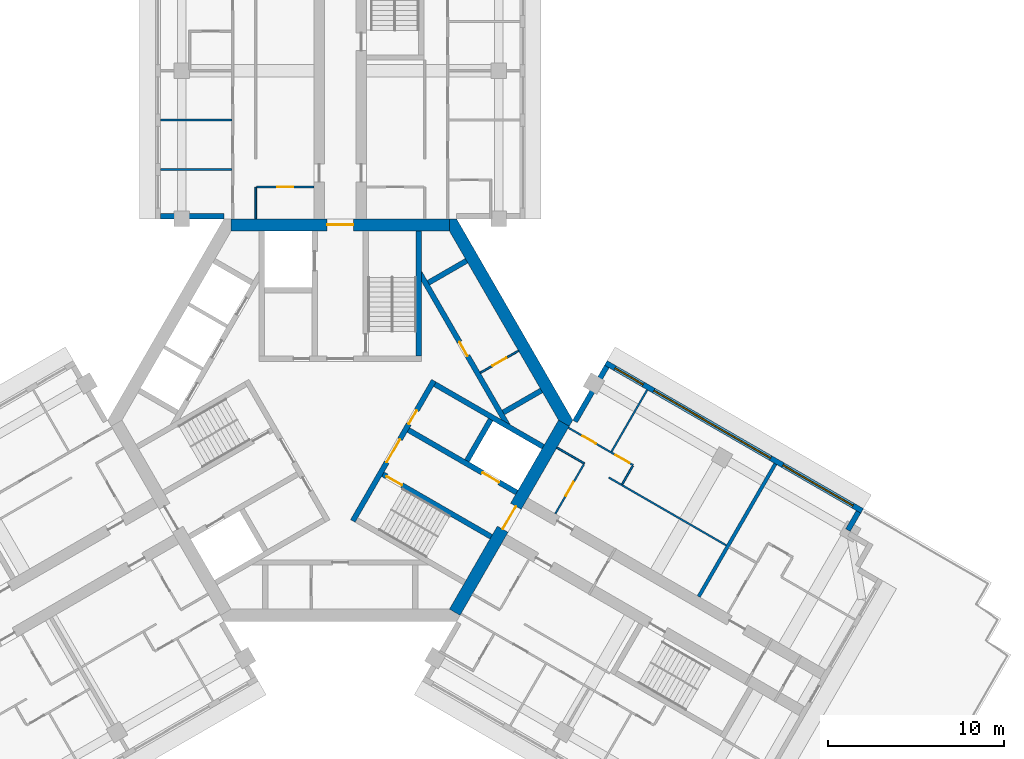
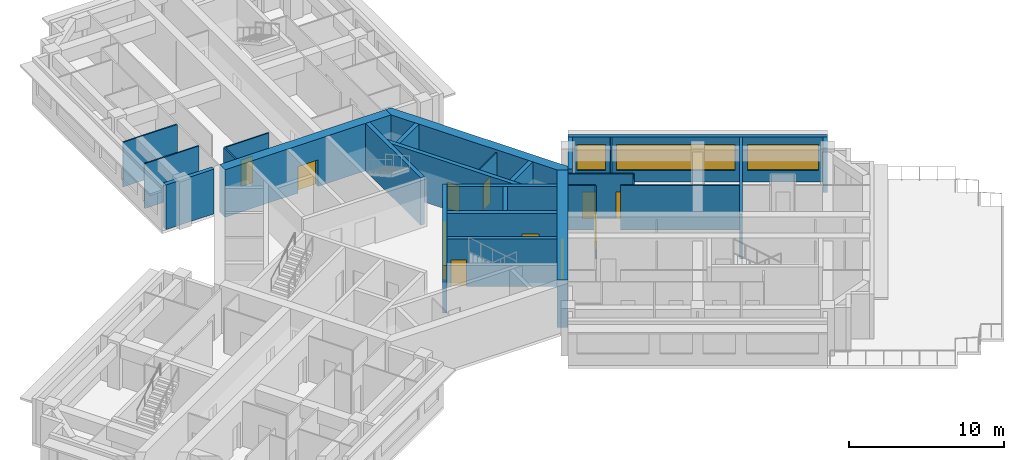
# One storey, part 6 of 11: 28 walls, 12 doors, 3 windows, 15 openings.
"""IFC4 building model written with IfcOpenShell, lengths in metres."""

from ifc_helpers import new_model, si_unit, direction, frame, frame_2d, origin, place, context, subcontext, project, spatial, polyline, rectangle, outline, extrude, material, layer, layer_set, type_object, element, fill, save


model = new_model("IFC4")

# Units and contexts
model_context = context("Model", 3, precision=1e-05, world=origin(), true_north=direction((0.0, 1.0)))
body_context = subcontext(model_context, "Body", "Model", "MODEL_VIEW")
ifc_project = project(units=[si_unit("LENGTHUNIT", "METRE"), si_unit("AREAUNIT", "SQUARE_METRE"), si_unit("VOLUMEUNIT", "CUBIC_METRE"), si_unit("PLANEANGLEUNIT", "RADIAN"), si_unit("MASSUNIT", "GRAM", prefix="KILO")], contexts=[model_context])

# Site, building, storey
site_placement = place(None, origin())
site = spatial("IfcSite", under=ifc_project, at=site_placement, CompositionType="ELEMENT")
building_placement = place(site_placement, origin())
building = spatial("IfcBuilding", under=site, at=building_placement, Name="Impinga Residences", CompositionType="ELEMENT")
storey_placement = place(building_placement, frame((0.0, 0.0, 248.5)))
storey = spatial("IfcBuildingStorey", under=building, at=storey_placement, Name="L62", CompositionType="ELEMENT", Elevation=248.5)

# Wall, opening, door
ifc_material_1 = material(Name="Concrete blockwork", Category="masonry")
ifc_layer_1 = layer(ifc_material_1, 0.10009765625)
ifc_layer_set_1 = layer_set([ifc_layer_1], Name="CP1 core room partition, blockwork 100")
wall_type_1 = type_object("IfcWallType", Name="CP1 core room partition, blockwork 100", PredefinedType="PARTITIONING", material=ifc_layer_set_1)
wall_1_placement = place(storey_placement, frame((7.95361328125, 2.686767578125, 0.0), z_axis=(0.0, 0.0, 1.0), x_axis=(0.866047370643, 0.499961950354, 0.0)))
wall_1 = element("IfcWall", 1, at=wall_1_placement, inside=storey, type_object=wall_type_1, Name="Core room partition, blockwork L62:CORE:mid:ZP1", PredefinedType="PARTITIONING", context=body_context, shape_type="SweptSolid", body=[
    extrude(rectangle(XDim=2.500244140625, YDim=0.10009765625, at=frame_2d((1.25, 0.0))), origin(), (0.0, 0.0, 1.0), 3.530029296875),
])
opening_1_placement = place(wall_1_placement, frame((0.800048828125, 0.0, 0.0)))
opening_1 = element("IfcOpeningElement", 2, at=opening_1_placement, cuts=wall_1, Name="Opening D6", PredefinedType="OPENING", context=body_context, shape_type="SweptSolid", body=[
    extrude(rectangle(XDim=0.89990234375, YDim=2.10009765625, at=frame_2d((0.449951171875, 1.050048828125))), frame((0.0, 0.06005859375, 0.0), z_axis=(0.0, -1.0, 0.0), x_axis=(1.0, 0.0, 0.0)), (0.0, 0.0, 1.0), 0.1201171875),
])
ifc_material_2 = material(Name="Timber door set", Category="wood")
door_type_1 = type_object("IfcDoorType", Name="D6 riser and store door 900x2100", OperationType="SINGLE_SWING_LEFT", PredefinedType="DOOR", material=ifc_material_2)
door_1_placement = place(opening_1_placement, origin())
door_1 = element("IfcDoor", 3, at=door_1_placement, inside=storey, type_object=door_type_1, Name="Residents' storage lockers door", OperationType="SINGLE_SWING_LEFT", OverallHeight=2.10009765625, OverallWidth=0.89990234375, PredefinedType="DOOR", context=body_context, shape_type="SweptSolid", body=[
    extrude(rectangle(XDim=0.89990234375, YDim=2.10009765625, at=frame_2d((0.449951171875, 1.050048828125))), frame((0.0, 0.02490234375, 0.0), z_axis=(0.0, -1.0, 0.0), x_axis=(1.0, 0.0, 0.0)), (0.0, 0.0, 1.0), 0.050048828125),
])
fill(opening_1, door_1)

# Walls
ifc_material_3 = material(Name="Terracotta rainscreen on blockwork", Category="masonry")
ifc_layer_2 = layer(ifc_material_3, 0.300048828125)
ifc_layer_set_2 = layer_set([ifc_layer_2], Name="EW1 external wall, terracotta rainscreen on blockwork 300")
wall_type_2 = type_object("IfcWallType", Name="EW1 external wall, terracotta rainscreen on blockwork 300", PredefinedType="SOLIDWALL", material=ifc_layer_set_2)
wall_2_placement = place(storey_placement, frame((-6.60009765625, 11.58154296875, 0.0), z_axis=(0.0, 0.0, 1.0), x_axis=(-1.0, 0.0, 0.0)))
element("IfcWall", 4, at=wall_2_placement, inside=storey, type_object=wall_type_2, Name="External wall EW1 L62", PredefinedType="SOLIDWALL", context=body_context, shape_type="SweptSolid", body=[
    extrude(rectangle(XDim=3.599853515625, YDim=0.300048828125, at=frame_2d((1.7998046875, 0.0))), origin(), (0.0, 0.0, 1.0), 3.530029296875),
])
wall_3_placement = place(storey_placement, frame((13.329833984375, -0.074951171875, 0.0), z_axis=(0.0, 0.0, 1.0), x_axis=(0.500012057535, 0.866018442252, 0.0)))
element("IfcWall", 5, at=wall_3_placement, inside=storey, type_object=wall_type_2, Name="External wall EW1 L62", PredefinedType="SOLIDWALL", context=body_context, shape_type="SweptSolid", body=[
    extrude(rectangle(XDim=3.60009765625, YDim=0.300048828125, at=frame_2d((1.800048828125, 0.0))), origin(), (0.0, 0.0, 1.0), 3.530029296875),
])

# Wall, openings, windows
wall_4_placement = place(storey_placement, frame((15.074951171875, 3.24755859375, 0.0), z_axis=(0.0, 0.0, 1.0), x_axis=(0.86602925447, -0.499993330357, 0.0)))
wall_4 = element("IfcWall", 6, at=wall_4_placement, inside=storey, type_object=wall_type_2, Name="External wall EW1 L62", PredefinedType="SOLIDWALL", context=body_context, shape_type="SweptSolid", body=[
    extrude(rectangle(XDim=16.800048828125, YDim=0.300048828125, at=frame_2d((8.39990234375, 0.0))), origin(), (0.0, 0.0, 1.0), 3.530029296875),
])
opening_2_placement = place(wall_4_placement, frame((0.60009765625, 0.0, 0.89990234375)))
opening_2 = element("IfcOpeningElement", 7, at=opening_2_placement, cuts=wall_4, Name="Opening W15", PredefinedType="OPENING", context=body_context, shape_type="SweptSolid", body=[
    extrude(rectangle(XDim=1.85009765625, YDim=2.050048828125, at=frame_2d((0.925048828125, 1.02490234375))), frame((0.0, 0.159912109375, 0.0), z_axis=(0.0, -1.0, 0.0), x_axis=(1.0, 0.0, 0.0)), (0.0, 0.0, 1.0), 0.320068359375),
])
opening_3_placement = place(wall_4_placement, frame((3.14990234375, 0.0, 0.89990234375)))
opening_3 = element("IfcOpeningElement", 8, at=opening_3_placement, cuts=wall_4, Name="Opening W13", PredefinedType="OPENING", context=body_context, shape_type="SweptSolid", body=[
    extrude(rectangle(XDim=7.64990234375, YDim=2.050048828125, at=frame_2d((3.824951171875, 1.02490234375))), frame((0.0, 0.159912109375, 0.0), z_axis=(0.0, -1.0, 0.0), x_axis=(1.0, 0.0, 0.0)), (0.0, 0.0, 1.0), 0.320068359375),
])
opening_4_placement = place(wall_4_placement, frame((11.60009765625, 0.0, 0.89990234375)))
opening_4 = element("IfcOpeningElement", 9, at=opening_4_placement, cuts=wall_4, Name="Opening W3", PredefinedType="OPENING", context=body_context, shape_type="SweptSolid", body=[
    extrude(rectangle(XDim=4.60009765625, YDim=2.050048828125, at=frame_2d((2.300048828125, 1.02490234375))), frame((0.0, 0.159912109375, 0.0), z_axis=(0.0, -1.0, 0.0), x_axis=(1.0, 0.0, 0.0)), (0.0, 0.0, 1.0), 0.320068359375),
])
ifc_material_4 = material(Name="Aluminium window, clear double glazing", Category="aluminium")
window_type_1 = type_object("IfcWindowType", Name="W13 ribbon window 7650x2050", PartitioningType="SINGLE_PANEL", PredefinedType="WINDOW", material=ifc_material_4)
window_1_placement = place(opening_3_placement, origin())
window_1 = element("IfcWindow", 10, at=window_1_placement, inside=storey, type_object=window_type_1, Name="Window L62", OverallHeight=2.050048828125, OverallWidth=7.64990234375, PartitioningType="SINGLE_PANEL", PredefinedType="WINDOW", context=body_context, shape_type="SweptSolid", body=[
    extrude(rectangle(XDim=7.64990234375, YDim=2.050048828125, at=frame_2d((3.824951171875, 1.02490234375))), frame((0.0, 0.030029296875, 0.0), z_axis=(0.0, -1.0, 0.0), x_axis=(1.0, 0.0, 0.0)), (0.0, 0.0, 1.0), 0.06005859375),
])
fill(opening_3, window_1)
window_type_2 = type_object("IfcWindowType", Name="W15 ribbon window 1850x2050", PartitioningType="SINGLE_PANEL", PredefinedType="WINDOW", material=ifc_material_4)
window_2_placement = place(opening_2_placement, origin())
window_2 = element("IfcWindow", 11, at=window_2_placement, inside=storey, type_object=window_type_2, Name="Window L62", OverallHeight=2.050048828125, OverallWidth=1.85009765625, PartitioningType="SINGLE_PANEL", PredefinedType="WINDOW", context=body_context, shape_type="SweptSolid", body=[
    extrude(rectangle(XDim=1.85009765625, YDim=2.050048828125, at=frame_2d((0.925048828125, 1.02490234375))), frame((0.0, 0.030029296875, 0.0), z_axis=(0.0, -1.0, 0.0), x_axis=(1.0, 0.0, 0.0)), (0.0, 0.0, 1.0), 0.06005859375),
])
fill(opening_2, window_2)
window_type_3 = type_object("IfcWindowType", Name="W3 ribbon window 4600x2050", PartitioningType="SINGLE_PANEL", PredefinedType="WINDOW", material=ifc_material_4)
window_3_placement = place(opening_4_placement, origin())
window_3 = element("IfcWindow", 12, at=window_3_placement, inside=storey, type_object=window_type_3, Name="Window L62", OverallHeight=2.050048828125, OverallWidth=4.60009765625, PartitioningType="SINGLE_PANEL", PredefinedType="WINDOW", context=body_context, shape_type="SweptSolid", body=[
    extrude(rectangle(XDim=4.60009765625, YDim=2.050048828125, at=frame_2d((2.300048828125, 1.02490234375))), frame((0.0, 0.030029296875, 0.0), z_axis=(0.0, -1.0, 0.0), x_axis=(1.0, 0.0, 0.0)), (0.0, 0.0, 1.0), 0.06005859375),
])
fill(opening_4, window_3)

# Walls
wall_5_placement = place(storey_placement, frame((29.41943359375, -5.207275390625, 0.0), z_axis=(0.0, 0.0, 1.0), x_axis=(-0.500033551112, -0.866006032174, 0.0)))
element("IfcWall", 13, at=wall_5_placement, inside=storey, type_object=wall_type_2, Name="External wall EW1 L62", PredefinedType="SOLIDWALL", context=body_context, shape_type="SweptSolid", body=[
    extrude(rectangle(XDim=1.2001953125, YDim=0.300048828125, at=frame_2d((0.60009765625, 0.0))), origin(), (0.0, 0.0, 1.0), 3.530029296875),
])
ifc_material_5 = material(Name="Gypsum board on steel studs", Category="steel")
ifc_layer_3 = layer(ifc_material_5, 0.10009765625)
ifc_layer_set_3 = layer_set([ifc_layer_3], Name="Gypsum board on steel studs")
wall_type_3 = type_object("IfcWallType", Name="IP1 partition 100", PredefinedType="PARTITIONING", material=ifc_layer_set_3)
wall_6_placement = place(storey_placement, frame((-4.800048828125, 11.431640625, 0.0), z_axis=(0.0, 0.0, 1.0), x_axis=(0.0, 1.0, 0.0)))
element("IfcWall", 14, at=wall_6_placement, inside=storey, type_object=wall_type_3, Name="Partition L62-NA1:DIV0", PredefinedType="PARTITIONING", context=body_context, shape_type="SweptSolid", body=[
    extrude(rectangle(XDim=1.7998046875, YDim=0.10009765625, at=frame_2d((0.89990234375, 0.0))), origin(), (0.0, 0.0, 1.0), 3.530029296875),
])

# Wall, opening, door
wall_7_placement = place(storey_placement, frame((-1.5, 13.2314453125, 0.0), z_axis=(0.0, 0.0, 1.0), x_axis=(-1.0, 0.0, 0.0)))
wall_7 = element("IfcWall", 15, at=wall_7_placement, inside=storey, type_object=wall_type_3, Name="Partition L62-NA1:IB1", PredefinedType="PARTITIONING", context=body_context, shape_type="SweptSolid", body=[
    extrude(rectangle(XDim=3.25, YDim=0.10009765625, at=frame_2d((1.625, 0.0))), origin(), (0.0, 0.0, 1.0), 3.530029296875),
])
opening_5_placement = place(wall_7_placement, frame((1.175048828125, 0.0, 0.0)))
opening_5 = element("IfcOpeningElement", 16, at=opening_5_placement, cuts=wall_7, Name="Opening D2", PredefinedType="OPENING", context=body_context, shape_type="SweptSolid", body=[
    extrude(rectangle(XDim=0.89990234375, YDim=2.10009765625, at=frame_2d((0.449951171875, 1.050048828125))), frame((0.0, 0.06005859375, 0.0), z_axis=(0.0, -1.0, 0.0), x_axis=(1.0, 0.0, 0.0)), (0.0, 0.0, 1.0), 0.1201171875),
])
door_type_2 = type_object("IfcDoorType", Name="D2 internal door 900x2100", OperationType="SINGLE_SWING_LEFT", PredefinedType="DOOR", material=ifc_material_2)
door_2_placement = place(opening_5_placement, origin())
door_2 = element("IfcDoor", 17, at=door_2_placement, inside=storey, type_object=door_type_2, Name="Apartment L62-NA1 bathroom door", OperationType="SINGLE_SWING_LEFT", OverallHeight=2.10009765625, OverallWidth=0.89990234375, PredefinedType="DOOR", context=body_context, shape_type="SweptSolid", body=[
    extrude(rectangle(XDim=0.89990234375, YDim=2.10009765625, at=frame_2d((0.449951171875, 1.050048828125))), frame((0.0, 0.02490234375, 0.0), z_axis=(0.0, -1.0, 0.0), x_axis=(1.0, 0.0, 0.0)), (0.0, 0.0, 1.0), 0.050048828125),
])
fill(opening_5, door_2)

# Walls
for number, where, z_axis, x_axis, name in (
    (18, (-6.14990234375, 14.2314453125, 0.0), (0.0, 0.0, 1.0), (-1.0, 0.0, 0.0), "Partition L62-NA1:OB1"),
    (19, (-6.14990234375, 17.031494140625, 0.0), (0.0, 0.0, 1.0), (-1.0, 0.0, 0.0), "Partition L62-NA1:OB2"),
):
    element("IfcWall", number, at=place(storey_placement, frame(where, z_axis=z_axis, x_axis=x_axis)), inside=storey, type_object=wall_type_3, Name=name, PredefinedType="PARTITIONING", context=body_context, shape_type="SweptSolid", body=[
        extrude(rectangle(XDim=4.050048828125, YDim=0.10009765625, at=frame_2d((2.02490234375, 0.0))), origin(), (0.0, 0.0, 1.0), 3.530029296875),
    ])
wall_8_placement = place(storey_placement, frame((12.300048828125, -1.558837890625, 0.0), z_axis=(0.0, 0.0, 1.0), x_axis=(0.866047807691, -0.499961193289, 0.0)))
element("IfcWall", 20, at=wall_8_placement, inside=storey, type_object=wall_type_3, Name="Partition L62-EA1:DIV0", PredefinedType="PARTITIONING", context=body_context, shape_type="SweptSolid", body=[
    extrude(rectangle(XDim=1.800048828125, YDim=0.10009765625, at=frame_2d((0.89990234375, 0.0))), origin(), (0.0, 0.0, 1.0), 3.530029296875),
])
wall_9_placement = place(storey_placement, frame((15.244384765625, -3.2587890625, 0.0), z_axis=(0.0, 0.0, 1.0), x_axis=(0.866021906294, -0.500006057782, 0.0)))
element("IfcWall", 21, at=wall_9_placement, inside=storey, type_object=wall_type_3, Name="Partition L62-EA1:DIV1", PredefinedType="PARTITIONING", context=body_context, shape_type="SweptSolid", body=[
    extrude(rectangle(XDim=7.7001953125, YDim=0.10009765625, at=frame_2d((3.85009765625, 0.0))), origin(), (0.0, 0.0, 1.0), 3.530029296875),
])

# Wall, openings, doors
wall_10_placement = place(storey_placement, frame((12.949951171875, -0.43310546875, 0.0), z_axis=(0.0, 0.0, 1.0), x_axis=(0.866028703517, -0.499994284652, 0.0)))
wall_10 = element("IfcWall", 22, at=wall_10_placement, inside=storey, type_object=wall_type_3, Name="Partition L62-EA1:STRIP", PredefinedType="PARTITIONING", context=body_context, shape_type="SweptSolid", body=[
    extrude(rectangle(XDim=4.25, YDim=0.10009765625, at=frame_2d((2.125, 0.0))), origin(), (0.0, 0.0, 1.0), 3.530029296875),
])
opening_6_placement = place(wall_10_placement, frame((0.925048828125, 0.0, 0.0)))
opening_6 = element("IfcOpeningElement", 23, at=opening_6_placement, cuts=wall_10, Name="Opening D2", PredefinedType="OPENING", context=body_context, shape_type="SweptSolid", body=[
    extrude(rectangle(XDim=0.89990234375, YDim=2.10009765625, at=frame_2d((0.449951171875, 1.050048828125))), frame((0.0, 0.06005859375, 0.0), z_axis=(0.0, -1.0, 0.0), x_axis=(1.0, 0.0, 0.0)), (0.0, 0.0, 1.0), 0.1201171875),
])
opening_7_placement = place(wall_10_placement, frame((3.10009765625, 0.0, 0.0)))
opening_7 = element("IfcOpeningElement", 24, at=opening_7_placement, cuts=wall_10, Name="Opening D2", PredefinedType="OPENING", context=body_context, shape_type="SweptSolid", body=[
    extrude(rectangle(XDim=0.89990234375, YDim=2.10009765625, at=frame_2d((0.449951171875, 1.050048828125))), frame((0.0, 0.06005859375, 0.0), z_axis=(0.0, -1.0, 0.0), x_axis=(1.0, 0.0, 0.0)), (0.0, 0.0, 1.0), 0.1201171875),
])
door_3_placement = place(opening_6_placement, origin())
door_3 = element("IfcDoor", 25, at=door_3_placement, inside=storey, type_object=door_type_2, Name="Apartment L62-EA1 room door", OperationType="SINGLE_SWING_LEFT", OverallHeight=2.10009765625, OverallWidth=0.89990234375, PredefinedType="DOOR", context=body_context, shape_type="SweptSolid", body=[
    extrude(rectangle(XDim=0.89990234375, YDim=2.10009765625, at=frame_2d((0.449951171875, 1.050048828125))), frame((0.0, 0.02490234375, 0.0), z_axis=(0.0, -1.0, 0.0), x_axis=(1.0, 0.0, 0.0)), (0.0, 0.0, 1.0), 0.050048828125),
])
fill(opening_6, door_3)
door_4_placement = place(opening_7_placement, origin())
door_4 = element("IfcDoor", 26, at=door_4_placement, inside=storey, type_object=door_type_2, Name="Apartment L62-EA1 room door", OperationType="SINGLE_SWING_RIGHT", OverallHeight=2.10009765625, OverallWidth=0.89990234375, PredefinedType="DOOR", context=body_context, shape_type="SweptSolid", body=[
    extrude(rectangle(XDim=0.89990234375, YDim=2.10009765625, at=frame_2d((0.449951171875, 1.050048828125))), frame((0.0, 0.02490234375, 0.0), z_axis=(0.0, -1.0, 0.0), x_axis=(1.0, 0.0, 0.0)), (0.0, 0.0, 1.0), 0.050048828125),
])
fill(opening_7, door_4)

# Wall
wall_11_placement = place(storey_placement, frame((16.005615234375, -3.640625, 0.0), z_axis=(0.0, 0.0, 1.0), x_axis=(0.500033551112, 0.866006032174, 0.0)))
element("IfcWall", 27, at=wall_11_placement, inside=storey, type_object=wall_type_3, Name="Partition L62-EA1:SE1", PredefinedType="PARTITIONING", context=body_context, shape_type="SweptSolid", body=[
    extrude(rectangle(XDim=1.2001953125, YDim=0.10009765625, at=frame_2d((0.60009765625, 0.0))), origin(), (0.0, 0.0, 1.0), 3.530029296875),
])

# Wall, opening, door
wall_12_placement = place(storey_placement, frame((12.208740234375, -5.316650390625, 0.0), z_axis=(0.0, 0.0, 1.0), x_axis=(0.500017246033, 0.866015446554, 0.0)))
wall_12 = element("IfcWall", 28, at=wall_12_placement, inside=storey, type_object=wall_type_3, Name="Partition L62-EA1:IB1", PredefinedType="PARTITIONING", context=body_context, shape_type="SweptSolid", body=[
    extrude(rectangle(XDim=3.25, YDim=0.10009765625, at=frame_2d((1.625, 0.0))), origin(), (0.0, 0.0, 1.0), 3.530029296875),
])
opening_8_placement = place(wall_12_placement, frame((1.175048828125, 0.0, 0.0)))
opening_8 = element("IfcOpeningElement", 29, at=opening_8_placement, cuts=wall_12, Name="Opening D2", PredefinedType="OPENING", context=body_context, shape_type="SweptSolid", body=[
    extrude(rectangle(XDim=0.89990234375, YDim=2.10009765625, at=frame_2d((0.449951171875, 1.050048828125))), frame((0.0, 0.06005859375, 0.0), z_axis=(0.0, -1.0, 0.0), x_axis=(1.0, 0.0, 0.0)), (0.0, 0.0, 1.0), 0.1201171875),
])
door_5_placement = place(opening_8_placement, origin())
door_5 = element("IfcDoor", 30, at=door_5_placement, inside=storey, type_object=door_type_2, Name="Apartment L62-EA1 bathroom door", OperationType="SINGLE_SWING_LEFT", OverallHeight=2.10009765625, OverallWidth=0.89990234375, PredefinedType="DOOR", context=body_context, shape_type="SweptSolid", body=[
    extrude(rectangle(XDim=0.89990234375, YDim=2.10009765625, at=frame_2d((0.449951171875, 1.050048828125))), frame((0.0, 0.02490234375, 0.0), z_axis=(0.0, -1.0, 0.0), x_axis=(1.0, 0.0, 0.0)), (0.0, 0.0, 1.0), 0.050048828125),
])
fill(opening_8, door_5)

# Walls
wall_13_placement = place(storey_placement, frame((15.39990234375, -1.789794921875, 0.0), z_axis=(0.0, 0.0, 1.0), x_axis=(0.499964223975, 0.866046058097, 0.0)))
element("IfcWall", 31, at=wall_13_placement, inside=storey, type_object=wall_type_3, Name="Partition L62-EA1:OB1", PredefinedType="PARTITIONING", context=body_context, shape_type="SweptSolid", body=[
    extrude(rectangle(XDim=4.050048828125, YDim=0.10009765625, at=frame_2d((2.02490234375, 0.0))), origin(), (0.0, 0.0, 1.0), 3.530029296875),
])
ifc_layer_4 = layer(ifc_material_1, 0.199951171875)
ifc_layer_set_4 = layer_set([ifc_layer_4], Name="PW1 party wall between apartments 200")
wall_type_4 = type_object("IfcWallType", Name="PW1 party wall between apartments 200", PredefinedType="SOLIDWALL", material=ifc_layer_set_4)
wall_14_placement = place(storey_placement, frame((20.349365234375, -10.016845703125, 0.0), z_axis=(0.0, 0.0, 1.0), x_axis=(0.500008278454, 0.866020624164, 0.0)))
element("IfcWall", 32, at=wall_14_placement, inside=storey, type_object=wall_type_4, Name="Party wall between apartments L62-EA1:PARTY", PredefinedType="SOLIDWALL", context=body_context, shape_type="SweptSolid", body=[
    extrude(rectangle(XDim=8.699951171875, YDim=0.199951171875, at=frame_2d((4.35009765625, 0.0))), origin(), (0.0, 0.0, 1.0), 3.530029296875),
])

# Wall, opening, door
ifc_material_6 = material(Name="Concrete C60/75", Category="concrete")
ifc_layer_5 = layer(ifc_material_6, 0.699951171875)
ifc_layer_set_5 = layer_set([ifc_layer_5], Name="Concrete C60/75")
wall_type_5 = type_object("IfcWallType", Name="SW3 core wall 700", PredefinedType="SHEAR", material=ifc_layer_set_5)
wall_15_placement = place(storey_placement, frame((-6.19580078125, 11.08154296875, 0.0), z_axis=(0.0, 0.0, 1.0), x_axis=(1.0, 0.0, 0.0)))
wall_15 = element("IfcWall", 33, at=wall_15_placement, inside=storey, type_object=wall_type_5, Name="Core wall SW3 N:FACE L62", PredefinedType="SHEAR", context=body_context, shape_type="SweptSolid", body=[
    extrude(rectangle(XDim=12.3916015625, YDim=0.699951171875, at=frame_2d((6.19580078125, 0.0))), origin(), (0.0, 0.0, 1.0), 3.75),
])
opening_9_placement = place(wall_15_placement, frame((5.44580078125, 0.0, 0.0)))
opening_9 = element("IfcOpeningElement", 34, at=opening_9_placement, cuts=wall_15, Name="Opening D4", PredefinedType="OPENING", context=body_context, shape_type="SweptSolid", body=[
    extrude(rectangle(XDim=1.5, YDim=2.10009765625, at=frame_2d((0.75, 1.050048828125))), frame((0.0, 0.35986328125, 0.0), z_axis=(0.0, -1.0, 0.0), x_axis=(1.0, 0.0, 0.0)), (0.0, 0.0, 1.0), 0.719970703125),
])
door_type_3 = type_object("IfcDoorType", Name="D4 lobby door pair 1500x2100", OperationType="DOUBLE_DOOR_DOUBLE_SWING", PredefinedType="DOOR", material=ifc_material_2)
door_6_placement = place(opening_9_placement, origin())
door_6 = element("IfcDoor", 35, at=door_6_placement, inside=storey, type_object=door_type_3, Name="Lobby door N", OperationType="DOUBLE_DOOR_DOUBLE_SWING", OverallHeight=2.10009765625, OverallWidth=1.5, PredefinedType="DOOR", context=body_context, shape_type="SweptSolid", body=[
    extrude(rectangle(XDim=1.5, YDim=2.10009765625, at=frame_2d((0.75, 1.050048828125))), frame((0.0, 0.02490234375, 0.0), z_axis=(0.0, -1.0, 0.0), x_axis=(1.0, 0.0, 0.0)), (0.0, 0.0, 1.0), 0.050048828125),
])
fill(opening_9, door_6)

wall_16_placement = place(storey_placement, frame((12.69482421875, -0.175048828125, 0.0), z_axis=(0.0, 0.0, 1.0), x_axis=(-0.499999875397, -0.866025475724, 0.0)))
wall_16 = element("IfcWall", 36, at=wall_16_placement, inside=storey, type_object=wall_type_5, Name="Core wall SW3 E:FACE L62", PredefinedType="SHEAR", context=body_context, shape_type="SweptSolid", body=[
    extrude(rectangle(XDim=12.3916015625, YDim=0.699951171875, at=frame_2d((6.19580078125, 0.0))), origin(), (0.0, 0.0, 1.0), 3.75),
])
opening_10_placement = place(wall_16_placement, frame((5.44580078125, 0.0, 0.0)))
opening_10 = element("IfcOpeningElement", 37, at=opening_10_placement, cuts=wall_16, Name="Opening D4", PredefinedType="OPENING", context=body_context, shape_type="SweptSolid", body=[
    extrude(rectangle(XDim=1.5, YDim=2.10009765625, at=frame_2d((0.75, 1.050048828125))), frame((0.0, 0.35986328125, 0.0), z_axis=(0.0, -1.0, 0.0), x_axis=(1.0, 0.0, 0.0)), (0.0, 0.0, 1.0), 0.719970703125),
])
door_7_placement = place(opening_10_placement, origin())
door_7 = element("IfcDoor", 38, at=door_7_placement, inside=storey, type_object=door_type_3, Name="Lobby door E", OperationType="DOUBLE_DOOR_DOUBLE_SWING", OverallHeight=2.10009765625, OverallWidth=1.5, PredefinedType="DOOR", context=body_context, shape_type="SweptSolid", body=[
    extrude(rectangle(XDim=1.5, YDim=2.10009765625, at=frame_2d((0.75, 1.050048828125))), frame((0.0, 0.02490234375, 0.0), z_axis=(0.0, -1.0, 0.0), x_axis=(1.0, 0.0, 0.0)), (0.0, 0.0, 1.0), 0.050048828125),
])
fill(opening_10, door_7)

# Walls
wall_17_placement = place(storey_placement, origin())
element("IfcWall", 39, at=wall_17_placement, inside=storey, type_object=wall_type_5, Name="Core wall SW3 W:EXPOSED L62", PredefinedType="SHEAR", context=body_context, shape_type="SweptSolid", body=[
    extrude(outline(polyline([(13.199951171875, 0.0), (6.60009765625, 11.431640625), (6.19580078125, 11.431640625), (6.19580078125, 10.7314453125), (12.3916015625, 0.0), (12.998046875, -0.35009765625), (13.199951171875, 0.0)])), origin(), (0.0, 0.0, 1.0), 3.75),
])
ifc_material_7 = material(Name="Concrete C70/85", Category="concrete")
ifc_layer_6 = layer(ifc_material_7, 0.300048828125)
ifc_layer_set_6 = layer_set([ifc_layer_6], Name="Concrete C70/85")
wall_type_6 = type_object("IfcWallType", Name="SW5 core inner wall, stairs, shafts and lobbies 300", PredefinedType="SHEAR", material=ifc_layer_set_6)
wall_18_placement = place(storey_placement, frame((4.449951171875, 3.6298828125, 0.0), z_axis=(0.0, 0.0, 1.0), x_axis=(0.0, 1.0, 0.0)))
element("IfcWall", 40, at=wall_18_placement, inside=storey, type_object=wall_type_6, Name="Core wall SW5 N:ST-OUT L62", PredefinedType="SHEAR", context=body_context, shape_type="SweptSolid", body=[
    extrude(rectangle(XDim=7.1015625, YDim=0.300048828125, at=frame_2d((3.55078125, 0.0))), origin(), (0.0, 0.0, 1.0), 3.75),
])

# Wall, openings, doors
wall_19_placement = place(storey_placement, frame((5.313720703125, 2.24365234375, 0.0), z_axis=(0.0, 0.0, 1.0), x_axis=(-0.499995050369, -0.866028261437, 0.0)))
wall_19 = element("IfcWall", 41, at=wall_19_placement, inside=storey, type_object=wall_type_6, Name="Core wall SW5 E:ZONE L62", PredefinedType="SHEAR", context=body_context, shape_type="SweptSolid", body=[
    extrude(rectangle(XDim=9.19970703125, YDim=0.300048828125, at=frame_2d((4.599853515625, 0.0))), origin(), (0.0, 0.0, 1.0), 3.75),
])
opening_11_placement = place(wall_19_placement, frame((3.85009765625, 0.0, 0.0)))
opening_11 = element("IfcOpeningElement", 42, at=opening_11_placement, cuts=wall_19, Name="Opening D4", PredefinedType="OPENING", context=body_context, shape_type="SweptSolid", body=[
    extrude(rectangle(XDim=1.5, YDim=2.10009765625, at=frame_2d((0.75, 1.050048828125))), frame((0.0, 0.159912109375, 0.0), z_axis=(0.0, -1.0, 0.0), x_axis=(1.0, 0.0, 0.0)), (0.0, 0.0, 1.0), 0.320068359375),
])
opening_12_placement = place(wall_19_placement, frame((1.949951171875, 0.0, 0.0)))
opening_12 = element("IfcOpeningElement", 43, at=opening_12_placement, cuts=wall_19, Name="Opening D6", PredefinedType="OPENING", context=body_context, shape_type="SweptSolid", body=[
    extrude(rectangle(XDim=0.89990234375, YDim=2.10009765625, at=frame_2d((0.449951171875, 1.050048828125))), frame((0.0, 0.159912109375, 0.0), z_axis=(0.0, -1.0, 0.0), x_axis=(1.0, 0.0, 0.0)), (0.0, 0.0, 1.0), 0.320068359375),
])
door_8_placement = place(opening_11_placement, origin())
door_8 = element("IfcDoor", 44, at=door_8_placement, inside=storey, type_object=door_type_3, Name="Firefighting lobby door E", OperationType="DOUBLE_DOOR_DOUBLE_SWING", OverallHeight=2.10009765625, OverallWidth=1.5, PredefinedType="DOOR", context=body_context, shape_type="SweptSolid", body=[
    extrude(rectangle(XDim=1.5, YDim=2.10009765625, at=frame_2d((0.75, 1.050048828125))), frame((0.0, 0.02490234375, 0.0), z_axis=(0.0, -1.0, 0.0), x_axis=(1.0, 0.0, 0.0)), (0.0, 0.0, 1.0), 0.050048828125),
])
fill(opening_11, door_8)
door_9_placement = place(opening_12_placement, origin())
door_9 = element("IfcDoor", 45, at=door_9_placement, inside=storey, type_object=door_type_1, Name="Riser door E", OperationType="SINGLE_SWING_LEFT", OverallHeight=2.10009765625, OverallWidth=0.89990234375, PredefinedType="DOOR", context=body_context, shape_type="SweptSolid", body=[
    extrude(rectangle(XDim=0.89990234375, YDim=2.10009765625, at=frame_2d((0.449951171875, 1.050048828125))), frame((0.0, 0.02490234375, 0.0), z_axis=(0.0, -1.0, 0.0), x_axis=(1.0, 0.0, 0.0)), (0.0, 0.0, 1.0), 0.050048828125),
])
fill(opening_12, door_9)

# Wall, opening, door
wall_20_placement = place(storey_placement, frame((2.418701171875, -3.07080078125, 0.0), z_axis=(0.0, 0.0, 1.0), x_axis=(0.866025859768, -0.499999210213, 0.0)))
wall_20 = element("IfcWall", 46, at=wall_20_placement, inside=storey, type_object=wall_type_6, Name="Core wall SW5 E:ST-IN L62", PredefinedType="SHEAR", context=body_context, shape_type="SweptSolid", body=[
    extrude(rectangle(XDim=7.1015625, YDim=0.300048828125, at=frame_2d((3.55078125, 0.0))), origin(), (0.0, 0.0, 1.0), 3.75),
])
opening_13_placement = place(wall_20_placement, frame((0.25, 0.0, 0.0)))
opening_13 = element("IfcOpeningElement", 47, at=opening_13_placement, cuts=wall_20, Name="Opening D5", PredefinedType="OPENING", context=body_context, shape_type="SweptSolid", body=[
    extrude(rectangle(XDim=1.0, YDim=2.10009765625, at=frame_2d((0.5, 1.050048828125))), frame((0.0, 0.159912109375, 0.0), z_axis=(0.0, -1.0, 0.0), x_axis=(1.0, 0.0, 0.0)), (0.0, 0.0, 1.0), 0.320068359375),
])
door_type_4 = type_object("IfcDoorType", Name="D5 stair door 1000x2100", OperationType="SINGLE_SWING_LEFT", PredefinedType="DOOR", material=ifc_material_2)
door_10_placement = place(opening_13_placement, origin())
door_10 = element("IfcDoor", 48, at=door_10_placement, inside=storey, type_object=door_type_4, Name="Stair door E", OperationType="SINGLE_SWING_LEFT", OverallHeight=2.10009765625, OverallWidth=1.0, PredefinedType="DOOR", context=body_context, shape_type="SweptSolid", body=[
    extrude(rectangle(XDim=1.0, YDim=2.10009765625, at=frame_2d((0.5, 1.050048828125))), frame((0.0, 0.02490234375, 0.0), z_axis=(0.0, -1.0, 0.0), x_axis=(1.0, 0.0, 0.0)), (0.0, 0.0, 1.0), 0.050048828125),
])
fill(opening_13, door_10)

wall_21_placement = place(storey_placement, frame((3.86865234375, -0.559326171875, 0.0), z_axis=(0.0, 0.0, 1.0), x_axis=(0.866025859768, -0.499999210213, 0.0)))
wall_21 = element("IfcWall", 49, at=wall_21_placement, inside=storey, type_object=wall_type_6, Name="Core wall SW5 E:FF-IN L62", PredefinedType="SHEAR", context=body_context, shape_type="SweptSolid", body=[
    extrude(rectangle(XDim=7.1015625, YDim=0.300048828125, at=frame_2d((3.55078125, 0.0))), origin(), (0.0, 0.0, 1.0), 3.75),
])
opening_14_placement = place(wall_21_placement, frame((4.85009765625, 0.0, 0.0)))
opening_14 = element("IfcOpeningElement", 50, at=opening_14_placement, cuts=wall_21, Name="Opening LD2", PredefinedType="OPENING", context=body_context, shape_type="SweptSolid", body=[
    extrude(rectangle(XDim=1.10009765625, YDim=2.10009765625, at=frame_2d((0.550048828125, 1.050048828125))), frame((0.0, 0.159912109375, 0.0), z_axis=(0.0, -1.0, 0.0), x_axis=(1.0, 0.0, 0.0)), (0.0, 0.0, 1.0), 0.320068359375),
])
ifc_material_8 = material(Name="Steel lift landing door", Category="steel")
door_type_5 = type_object("IfcDoorType", Name="LD2 firefighting lift landing door 1100x2100", OperationType="DOUBLE_DOOR_SLIDING", PredefinedType="DOOR", material=ifc_material_8)
door_11_placement = place(opening_14_placement, origin())
door_11 = element("IfcDoor", 51, at=door_11_placement, inside=storey, type_object=door_type_5, Name="Firefighting lift landing door F3", OperationType="DOUBLE_DOOR_SLIDING", OverallHeight=2.10009765625, OverallWidth=1.10009765625, PredefinedType="DOOR", context=body_context, shape_type="SweptSolid", body=[
    extrude(rectangle(XDim=1.10009765625, YDim=2.10009765625, at=frame_2d((0.550048828125, 1.050048828125))), frame((0.0, 0.02490234375, 0.0), z_axis=(0.0, -1.0, 0.0), x_axis=(1.0, 0.0, 0.0)), (0.0, 0.0, 1.0), 0.050048828125),
])
fill(opening_14, door_11)

# Walls
wall_22_placement = place(storey_placement, frame((5.36865234375, 2.038818359375, 0.0), z_axis=(0.0, 0.0, 1.0), x_axis=(0.866025859768, -0.499999210213, 0.0)))
element("IfcWall", 52, at=wall_22_placement, inside=storey, type_object=wall_type_6, Name="Core wall SW5 E:FF-OUT L62", PredefinedType="SHEAR", context=body_context, shape_type="SweptSolid", body=[
    extrude(rectangle(XDim=7.1015625, YDim=0.300048828125, at=frame_2d((3.55078125, 0.0))), origin(), (0.0, 0.0, 1.0), 3.75),
])
wall_23_placement = place(storey_placement, frame((8.541259765625, 0.033935546875, 0.0), z_axis=(0.0, 0.0, 1.0), x_axis=(-0.50000943426, -0.866019956843, 0.0)))
element("IfcWall", 53, at=wall_23_placement, inside=storey, type_object=wall_type_6, Name="Core wall SW5 E:FF-RS L62", PredefinedType="SHEAR", context=body_context, shape_type="SweptSolid", body=[
    extrude(rectangle(XDim=2.7001953125, YDim=0.300048828125, at=frame_2d((1.35009765625, 0.0))), origin(), (0.0, 0.0, 1.0), 3.75),
])

# Wall, opening, door
wall_24_placement = place(storey_placement, frame((4.449951171875, 8.455322265625, 0.0), z_axis=(0.0, 0.0, 1.0), x_axis=(0.500002290144, -0.866024081565, 0.0)))
wall_24 = element("IfcWall", 54, at=wall_24_placement, inside=storey, type_object=wall_type_6, Name="Core wall SW5 W:BANK-FRONT L62", PredefinedType="SHEAR", context=body_context, shape_type="SweptSolid", body=[
    extrude(rectangle(XDim=10.1953125, YDim=0.300048828125, at=frame_2d((5.09765625, 0.0))), origin(), (0.0, 0.0, 1.0), 3.75),
])
opening_15_placement = place(wall_24_placement, frame((4.647705078125, 0.0, 0.0)))
opening_15 = element("IfcOpeningElement", 55, at=opening_15_placement, cuts=wall_24, Name="Opening D6", PredefinedType="OPENING", context=body_context, shape_type="SweptSolid", body=[
    extrude(rectangle(XDim=0.89990234375, YDim=2.10009765625, at=frame_2d((0.449951171875, 1.050048828125))), frame((0.0, 0.159912109375, 0.0), z_axis=(0.0, -1.0, 0.0), x_axis=(1.0, 0.0, 0.0)), (0.0, 0.0, 1.0), 0.320068359375),
])
door_12_placement = place(opening_15_placement, origin())
door_12 = element("IfcDoor", 56, at=door_12_placement, inside=storey, type_object=door_type_1, Name="Residents' study door", OperationType="SINGLE_SWING_RIGHT", OverallHeight=2.10009765625, OverallWidth=0.89990234375, PredefinedType="DOOR", context=body_context, shape_type="SweptSolid", body=[
    extrude(rectangle(XDim=0.89990234375, YDim=2.10009765625, at=frame_2d((0.449951171875, 1.050048828125))), frame((0.0, 0.02490234375, 0.0), z_axis=(0.0, -1.0, 0.0), x_axis=(1.0, 0.0, 0.0)), (0.0, 0.0, 1.0), 0.050048828125),
])
fill(opening_15, door_12)

# Walls
for number, where, z_axis, x_axis, name in (
    (57, (5.003662109375, 7.79638671875, 0.0), (0.0, 0.0, 1.0), (0.866022959057, 0.500004234368, 0.0), "Core wall SW5 W:BANK-L L62"),
    (58, (9.253662109375, 0.43505859375, 0.0), (0.0, 0.0, 1.0), (0.866022959057, 0.500004234368, 0.0), "Core wall SW5 W:BANK-R L62"),
):
    element("IfcWall", number, at=place(storey_placement, frame(where, z_axis=z_axis, x_axis=x_axis)), inside=storey, type_object=wall_type_6, Name=name, PredefinedType="SHEAR", context=body_context, shape_type="SweptSolid", body=[
        extrude(rectangle(XDim=2.5, YDim=0.300048828125, at=frame_2d((1.25, 0.0))), origin(), (0.0, 0.0, 1.0), 3.75),
    ])

save(model, "model.ifc")
